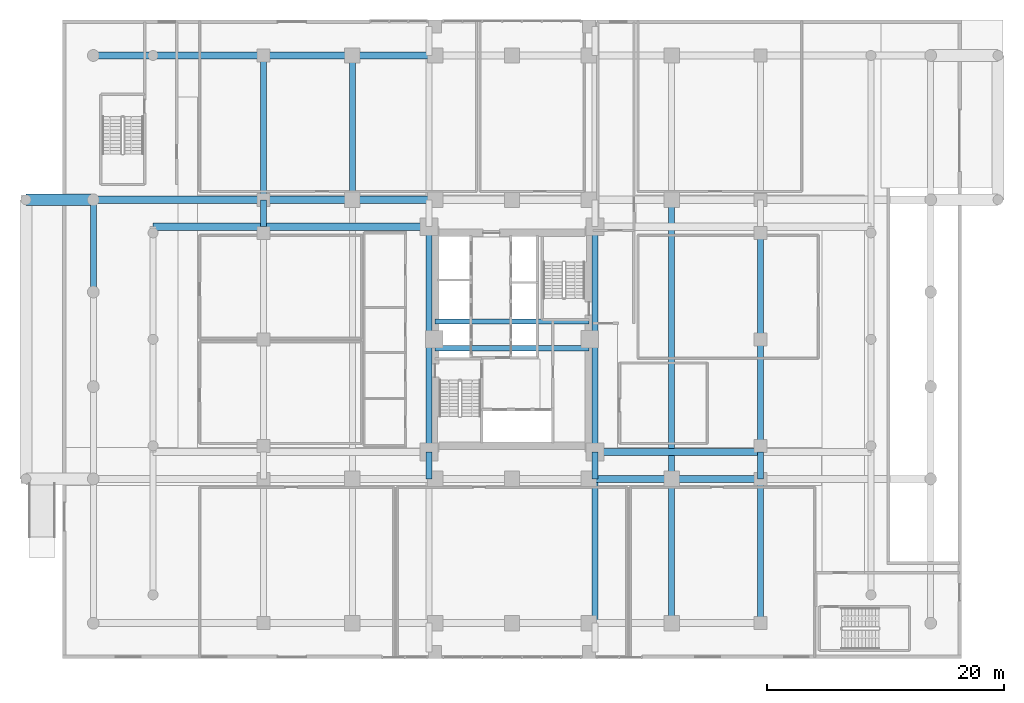
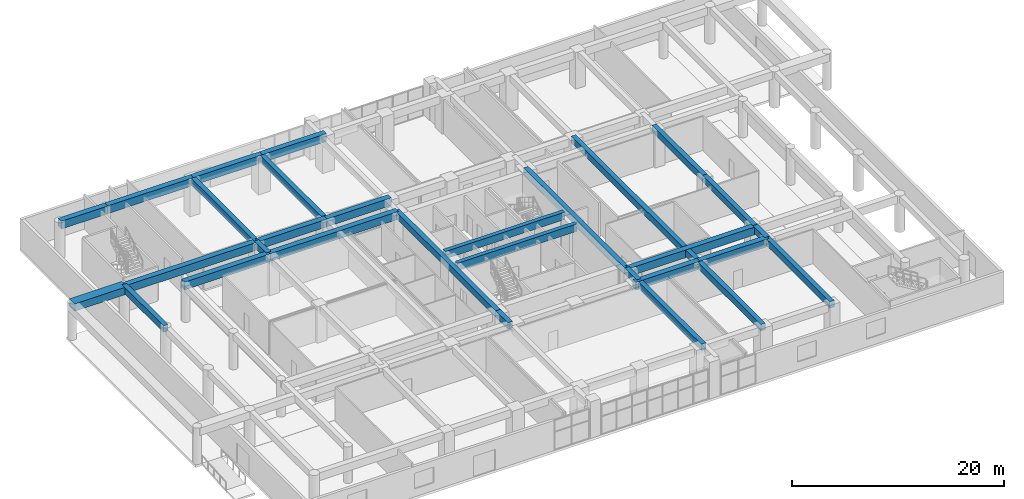
# One storey, part 7 of 24: 30 beams.
"""IFC4 building model written with IfcOpenShell, lengths in metres."""

from ifc_helpers import new_model, si_unit, direction, frame, origin, origin_2d, place, context, subcontext, project, spatial, rectangle, extrude, source, transform, mapped, material, material_profile, profile_set, type_object, element, save


model = new_model("IFC4")

# Units and contexts
model_context = context("Model", 3, precision=1e-05, world=origin(), true_north=direction((0.0, 1.0)))
body_context = subcontext(model_context, "Body", "Model", "MODEL_VIEW")
ifc_project = project(units=[si_unit("LENGTHUNIT", "METRE"), si_unit("AREAUNIT", "SQUARE_METRE"), si_unit("VOLUMEUNIT", "CUBIC_METRE"), si_unit("PLANEANGLEUNIT", "RADIAN"), si_unit("MASSUNIT", "GRAM", prefix="KILO")], contexts=[model_context])

# Site, building, storey
site_placement = place(None, origin())
site = spatial("IfcSite", under=ifc_project, at=site_placement, CompositionType="ELEMENT")
building_placement = place(site_placement, origin())
building = spatial("IfcBuilding", under=site, at=building_placement, Name="Saelheon Loggia Tower", CompositionType="ELEMENT")
storey_placement = place(building_placement, origin())
storey = spatial("IfcBuildingStorey", under=building, at=storey_placement, Name="L00", CompositionType="ELEMENT", Elevation=0.0)

# Beams
ifc_material_1 = material(Name="Concrete C50/60", Category="concrete")
ifc_material_profile_1 = material_profile(ifc_material_1, rectangle(XDim=0.449951171875, YDim=0.85009765625, at=origin_2d()), Name="RC-450x850")
ifc_profile_set_1 = profile_set([ifc_material_profile_1], Name="Concrete C50/60")
beam_type_1 = type_object("IfcBeamType", Name="Beam_CoreLintel_RC450x850", PredefinedType="LINTEL", material=ifc_profile_set_1)
shared_shape_1 = source(origin(), body_context, "Body", "SweptSolid", [
    extrude(rectangle(XDim=0.449951171875, YDim=0.85009765625, at=origin_2d()), origin(), (0.0, 0.0, 1.0), 13.0),
])
for number, where, z_axis, x_axis, name in (
    (1, (31.5, 26.25, 3.77490234375), (1.0, 0.0, 0.0), (0.0, 1.0, 0.0), "L00 Core Coupling Lintel 1"),
    (2, (31.5, 28.5, 3.77490234375), (1.0, 0.0, 0.0), (0.0, 1.0, 0.0), "L00 Core Coupling Lintel 2"),
):
    element("IfcBeam", number, at=place(storey_placement, frame(where, z_axis=z_axis, x_axis=x_axis)), inside=storey, type_object=beam_type_1, Name=name, PredefinedType="LINTEL", context=body_context, shape_type="MappedRepresentation", body=[
        mapped(shared_shape_1, transform((0.0, 0.0, 0.0), scale=1.0)),
    ])
ifc_material_profile_2 = material_profile(ifc_material_1, rectangle(XDim=0.60009765625, YDim=0.89990234375, at=origin_2d()), Name="RC-600x900")
ifc_profile_set_2 = profile_set([ifc_material_profile_2], Name="Concrete C50/60")
beam_type_2 = type_object("IfcBeamType", Name="Beam_MainGirder_RC600x900", PredefinedType="BEAM", material=ifc_profile_set_2)
shared_shape_2 = source(origin(), body_context, "Body", "SweptSolid", [
    extrude(rectangle(XDim=0.60009765625, YDim=0.89990234375, at=origin_2d()), origin(), (0.0, 0.0, 1.0), 14.39990234375),
])
beam_1_placement = place(storey_placement, frame((2.60009765625, 38.800048828125, 3.75), z_axis=(1.0, 0.0, 0.0), x_axis=(0.0, 1.0, 0.0)))
element("IfcBeam", 3, at=beam_1_placement, inside=storey, type_object=beam_type_2, Name="BM-L00-EW-38-1", PredefinedType="BEAM", context=body_context, shape_type="MappedRepresentation", body=[
    mapped(shared_shape_2, transform((0.0, 0.0, 0.0), scale=1.0)),
])
shared_shape_3 = source(origin(), body_context, "Body", "SweptSolid", [
    extrude(rectangle(XDim=0.60009765625, YDim=0.89990234375, at=origin_2d()), origin(), (0.0, 0.0, 1.0), 7.5),
])
for number, where, z_axis, x_axis, name in (
    (4, (51.5, 15.199951171875, 3.75), (1.0, 0.0, 0.0), (0.0, 1.0, 0.0), "BM-L00-EW-15-7"),
    (5, (17.0, 38.800048828125, 3.75), (1.0, 0.0, 0.0), (0.0, 1.0, 0.0), "BM-L00-EW-38-2"),
    (6, (17.0, 51.0, 3.75), (1.0, 0.0, 0.0), (0.0, 1.0, 0.0), "BM-L00-EW-51-3"),
):
    element("IfcBeam", number, at=place(storey_placement, frame(where, z_axis=z_axis, x_axis=x_axis)), inside=storey, type_object=beam_type_2, Name=name, PredefinedType="BEAM", context=body_context, shape_type="MappedRepresentation", body=[
        mapped(shared_shape_3, transform((0.0, 0.0, 0.0), scale=1.0)),
    ])
shared_shape_4 = source(origin(), body_context, "Body", "SweptSolid", [
    extrude(rectangle(XDim=0.60009765625, YDim=0.89990234375, at=origin_2d()), origin(), (0.0, 0.0, 1.0), 7.0),
])
for number, where, z_axis, x_axis, name in (
    (7, (44.5, 15.199951171875, 3.75), (1.0, 0.0, 0.0), (0.0, 1.0, 0.0), "BM-L00-EW-15-6"),
    (8, (24.5, 38.800048828125, 3.75), (1.0, 0.0, 0.0), (0.0, 1.0, 0.0), "BM-L00-EW-38-3"),
    (9, (24.5, 51.0, 3.75), (1.0, 0.0, 0.0), (0.0, 1.0, 0.0), "BM-L00-EW-51-4"),
):
    element("IfcBeam", number, at=place(storey_placement, frame(where, z_axis=z_axis, x_axis=x_axis)), inside=storey, type_object=beam_type_2, Name=name, PredefinedType="BEAM", context=body_context, shape_type="MappedRepresentation", body=[
        mapped(shared_shape_4, transform((0.0, 0.0, 0.0), scale=1.0)),
    ])
shared_shape_5 = source(origin(), body_context, "Body", "SweptSolid", [
    extrude(rectangle(XDim=0.60009765625, YDim=0.89990234375, at=origin_2d()), origin(), (0.0, 0.0, 1.0), 5.0498046875),
])
beam_2_placement = place(storey_placement, frame((2.60009765625, 51.0, 3.75), z_axis=(1.0, 0.0, 0.0), x_axis=(0.0, 1.0, 0.0)))
element("IfcBeam", 10, at=beam_2_placement, inside=storey, type_object=beam_type_2, Name="BM-L00-EW-51-1", PredefinedType="BEAM", context=body_context, shape_type="MappedRepresentation", body=[
    mapped(shared_shape_5, transform((0.0, 0.0, 0.0), scale=1.0)),
])
shared_shape_6 = source(origin(), body_context, "Body", "SweptSolid", [
    extrude(rectangle(XDim=0.60009765625, YDim=0.89990234375, at=origin_2d()), origin(), (0.0, 0.0, 1.0), 9.35009765625),
])
for number, where, z_axis, x_axis, name in (
    (11, (7.64990234375, 51.0, 3.75), (1.0, 0.0, 0.0), (0.0, 1.0, 0.0), "BM-L00-EW-51-2"),
    (12, (7.64990234375, 36.52001953125, 3.75), (1.0, 0.0, 0.0), (0.0, 1.0, 0.0), "BM-L00-CT-36-W1"),
):
    element("IfcBeam", number, at=place(storey_placement, frame(where, z_axis=z_axis, x_axis=x_axis)), inside=storey, type_object=beam_type_2, Name=name, PredefinedType="BEAM", context=body_context, shape_type="MappedRepresentation", body=[
        mapped(shared_shape_6, transform((0.0, 0.0, 0.0), scale=1.0)),
    ])
shared_shape_7 = source(origin(), body_context, "Body", "SweptSolid", [
    extrude(rectangle(XDim=0.60009765625, YDim=0.89990234375, at=origin_2d()), origin(), (0.0, 0.0, 1.0), 13.97998046875),
])
for number, where, z_axis, x_axis, name in (
    (13, (45.02001953125, 17.47998046875, 3.75), (1.0, 0.0, 0.0), (0.0, 1.0, 0.0), "BM-L00-CT-17-E2"),
    (14, (17.0, 36.52001953125, 3.75), (1.0, 0.0, 0.0), (0.0, 1.0, 0.0), "BM-L00-CT-36-W2"),
):
    element("IfcBeam", number, at=place(storey_placement, frame(where, z_axis=z_axis, x_axis=x_axis)), inside=storey, type_object=beam_type_2, Name=name, PredefinedType="BEAM", context=body_context, shape_type="MappedRepresentation", body=[
        mapped(shared_shape_7, transform((0.0, 0.0, 0.0), scale=1.0)),
    ])
ifc_material_2 = material(Name="Concrete C45/55", Category="concrete")
ifc_material_profile_3 = material_profile(ifc_material_2, rectangle(XDim=0.5, YDim=0.75, at=origin_2d()), Name="RC-500x750")
ifc_profile_set_3 = profile_set([ifc_material_profile_3], Name="Concrete C45/55")
beam_type_3 = type_object("IfcBeamType", Name="Beam_FloorGirder_RC500x750", PredefinedType="BEAM", material=ifc_profile_set_3)
shared_shape_8 = source(origin(), body_context, "Body", "SweptSolid", [
    extrude(rectangle(XDim=0.5, YDim=0.75, at=origin_2d()), origin(), (0.0, 0.0, 1.0), 12.199951171875),
])
for number, where, z_axis, x_axis, name in (
    (15, (17.0, 38.800048828125, 3.824951171875), (0.0, 1.0, 0.0), (-1.0, 0.0, 0.0), "BM-L00-NS-17-6"),
    (16, (24.5, 38.800048828125, 3.824951171875), (0.0, 1.0, 0.0), (-1.0, 0.0, 0.0), "BM-L00-NS-24-3"),
    (17, (45.02001953125, 3.0, 3.824951171875), (0.0, 1.0, 0.0), (-1.0, 0.0, 0.0), "BM-L00-NS-45-2"),
    (18, (51.5, 3.0, 3.824951171875), (0.0, 1.0, 0.0), (-1.0, 0.0, 0.0), "BM-L00-NS-51-1"),
    (19, (59.0, 3.0, 3.824951171875), (0.0, 1.0, 0.0), (-1.0, 0.0, 0.0), "BM-L00-NS-59-1"),
):
    element("IfcBeam", number, at=place(storey_placement, frame(where, z_axis=z_axis, x_axis=x_axis)), inside=storey, type_object=beam_type_3, Name=name, PredefinedType="BEAM", context=body_context, shape_type="MappedRepresentation", body=[
        mapped(shared_shape_8, transform((0.0, 0.0, 0.0), scale=1.0)),
    ])
ifc_material_profile_4 = material_profile(ifc_material_2, rectangle(XDim=0.5, YDim=0.75, at=origin_2d()), Name="RC-500x750")
ifc_profile_set_4 = profile_set([ifc_material_profile_4], Name="Concrete C45/55")
beam_type_4 = type_object("IfcBeamType", Name="Beam_PerimGirder_RC500x750", PredefinedType="BEAM", material=ifc_profile_set_4)
shared_shape_9 = source(origin(), body_context, "Body", "SweptSolid", [
    extrude(rectangle(XDim=0.5, YDim=0.75, at=origin_2d()), origin(), (0.0, 0.0, 1.0), 7.800048828125),
])
beam_3_placement = place(storey_placement, frame((2.60009765625, 31.0, 3.824951171875), z_axis=(0.0, 1.0, 0.0), x_axis=(-1.0, 0.0, 0.0)))
element("IfcBeam", 20, at=beam_3_placement, inside=storey, type_object=beam_type_4, Name="BM-L00-NS-2-4", PredefinedType="BEAM", context=body_context, shape_type="MappedRepresentation", body=[
    mapped(shared_shape_9, transform((0.0, 0.0, 0.0), scale=1.0)),
])
shared_shape_10 = source(origin(), body_context, "Body", "SweptSolid", [
    extrude(rectangle(XDim=0.5, YDim=0.75, at=origin_2d()), origin(), (0.0, 0.0, 1.0), 9.52001953125),
])
for number, where, z_axis, x_axis, name in (
    (21, (59.0, 17.47998046875, 3.824951171875), (0.0, 1.0, 0.0), (-1.0, 0.0, 0.0), "BM-L00-NS-59-3"),
    (22, (59.0, 27.0, 3.824951171875), (0.0, 1.0, 0.0), (-1.0, 0.0, 0.0), "BM-L00-NS-59-4"),
):
    element("IfcBeam", number, at=place(storey_placement, frame(where, z_axis=z_axis, x_axis=x_axis)), inside=storey, type_object=beam_type_3, Name=name, PredefinedType="BEAM", context=body_context, shape_type="MappedRepresentation", body=[
        mapped(shared_shape_10, transform((0.0, 0.0, 0.0), scale=1.0)),
    ])
shared_shape_11 = source(origin(), body_context, "Body", "SweptSolid", [
    extrude(rectangle(XDim=0.5, YDim=0.75, at=origin_2d()), origin(), (0.0, 0.0, 1.0), 2.280029296875),
])
for number, where, z_axis, x_axis, name in (
    (23, (17.0, 36.52001953125, 3.824951171875), (0.0, 1.0, 0.0), (-1.0, 0.0, 0.0), "BM-L00-NS-17-5"),
    (24, (30.97998046875, 15.199951171875, 3.824951171875), (0.0, 1.0, 0.0), (-1.0, 0.0, 0.0), "BM-L00-NS-30-3"),
    (25, (45.02001953125, 15.199951171875, 3.824951171875), (0.0, 1.0, 0.0), (-1.0, 0.0, 0.0), "BM-L00-NS-45-3"),
    (26, (59.0, 15.199951171875, 3.824951171875), (0.0, 1.0, 0.0), (-1.0, 0.0, 0.0), "BM-L00-NS-59-2"),
):
    element("IfcBeam", number, at=place(storey_placement, frame(where, z_axis=z_axis, x_axis=x_axis)), inside=storey, type_object=beam_type_3, Name=name, PredefinedType="BEAM", context=body_context, shape_type="MappedRepresentation", body=[
        mapped(shared_shape_11, transform((0.0, 0.0, 0.0), scale=1.0)),
    ])
shared_shape_12 = source(origin(), body_context, "Body", "SweptSolid", [
    extrude(rectangle(XDim=0.5, YDim=0.75, at=origin_2d()), origin(), (0.0, 0.0, 1.0), 23.60009765625),
])
beam_4_placement = place(storey_placement, frame((51.5, 15.199951171875, 3.824951171875), z_axis=(0.0, 1.0, 0.0), x_axis=(-1.0, 0.0, 0.0)))
element("IfcBeam", 27, at=beam_4_placement, inside=storey, type_object=beam_type_3, Name="BM-L00-NS-51-2", PredefinedType="BEAM", context=body_context, shape_type="MappedRepresentation", body=[
    mapped(shared_shape_12, transform((0.0, 0.0, 0.0), scale=1.0)),
])
shared_shape_13 = source(origin(), body_context, "Body", "SweptSolid", [
    extrude(rectangle(XDim=0.5, YDim=0.75, at=origin_2d()), origin(), (0.0, 0.0, 1.0), 19.0400390625),
])
for number, where, z_axis, x_axis, name in (
    (28, (30.97998046875, 17.47998046875, 3.824951171875), (0.0, 1.0, 0.0), (-1.0, 0.0, 0.0), "BM-L00-NS-30-4"),
    (29, (45.02001953125, 17.47998046875, 3.824951171875), (0.0, 1.0, 0.0), (-1.0, 0.0, 0.0), "BM-L00-NS-45-4"),
):
    element("IfcBeam", number, at=place(storey_placement, frame(where, z_axis=z_axis, x_axis=x_axis)), inside=storey, type_object=beam_type_3, Name=name, PredefinedType="BEAM", context=body_context, shape_type="MappedRepresentation", body=[
        mapped(shared_shape_13, transform((0.0, 0.0, 0.0), scale=1.0)),
    ])
ifc_material_3 = material(Name="Precast Concrete C45/55", Category="concrete")
ifc_material_profile_5 = material_profile(ifc_material_3, rectangle(XDim=1.0, YDim=0.85009765625, at=origin_2d()), Name="RC-1000x850")
ifc_profile_set_5 = profile_set([ifc_material_profile_5], Name="Precast Concrete C45/55")
beam_type_5 = type_object("IfcBeamType", Name="Beam_PorticoGirder_RC1000x850", PredefinedType="BEAM", material=ifc_profile_set_5)
shared_shape_14 = source(origin(), body_context, "Body", "SweptSolid", [
    extrude(rectangle(XDim=1.0, YDim=0.85009765625, at=origin_2d()), origin(), (0.0, 0.0, 1.0), 5.7001953125),
])
beam_5_placement = place(storey_placement, frame((-3.10009765625, 38.800048828125, 3.77490234375), z_axis=(1.0, 0.0, 0.0), x_axis=(0.0, 1.0, 0.0)))
element("IfcBeam", 30, at=beam_5_placement, inside=storey, type_object=beam_type_5, Name="BM-L00-PRTW-N", PredefinedType="BEAM", context=body_context, shape_type="MappedRepresentation", body=[
    mapped(shared_shape_14, transform((0.0, 0.0, 0.0), scale=1.0)),
])

save(model, "model.ifc")
